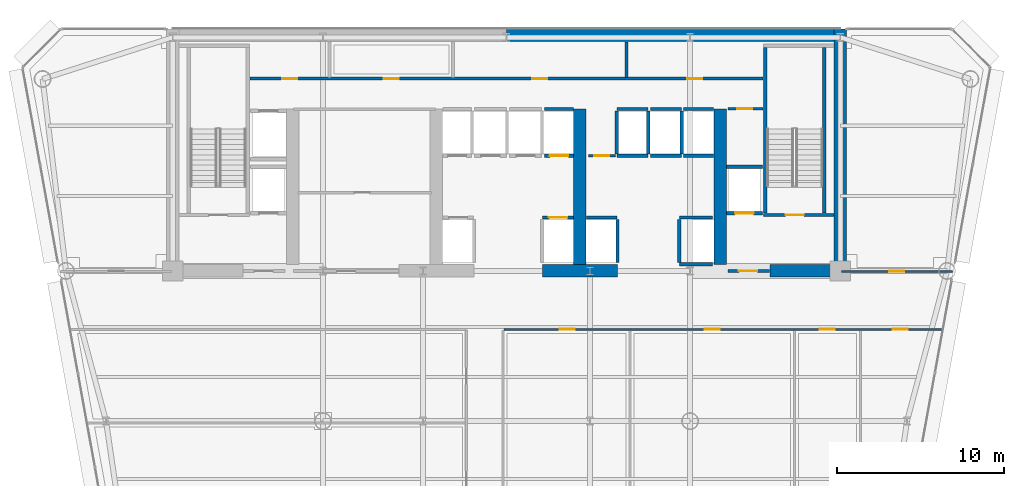
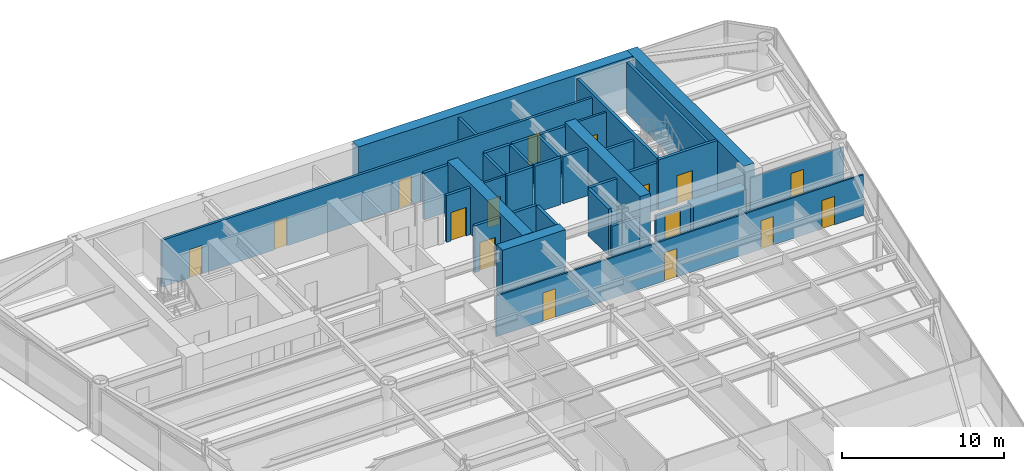
# One storey, part 9 of 14: 35 walls, 16 doors, 16 openings.
"""IFC4 building model written with IfcOpenShell, lengths in metres."""

from ifc_helpers import new_model, si_unit, direction, frame, frame_2d, origin, place, context, subcontext, project, spatial, rectangle, extrude, source, transform, mapped, material, layer, layer_set, type_object, element, fill, save


model = new_model("IFC4")

# Units and contexts
model_context = context("Model", 3, precision=1e-05, world=origin(), true_north=direction((0.0, 1.0)))
body_context = subcontext(model_context, "Body", "Model", "MODEL_VIEW")
ifc_project = project(units=[si_unit("LENGTHUNIT", "METRE"), si_unit("AREAUNIT", "SQUARE_METRE"), si_unit("VOLUMEUNIT", "CUBIC_METRE"), si_unit("PLANEANGLEUNIT", "RADIAN"), si_unit("MASSUNIT", "GRAM", prefix="KILO")], contexts=[model_context])

# Site, building, storey
site_placement = place(None, origin())
site = spatial("IfcSite", under=ifc_project, at=site_placement, CompositionType="ELEMENT")
building_placement = place(site_placement, origin())
building = spatial("IfcBuilding", under=site, at=building_placement, Name="Vaeldorn Concourse Tower", CompositionType="ELEMENT")
storey_placement = place(building_placement, frame((0.0, 0.0, 145.199951171875)))
storey = spatial("IfcBuildingStorey", under=building, at=storey_placement, Name="L37", CompositionType="ELEMENT", Elevation=145.199951171875)

# Walls
ifc_material_1 = material(Name="Concrete C60/75", Category="concrete")
ifc_layer_1 = layer(ifc_material_1, 0.75)
ifc_layer_set_1 = layer_set([ifc_layer_1], Name="Concrete C60/75")
wall_type_1 = type_object("IfcWallType", Name="WL-CORE-750", PredefinedType="SHEAR", material=ifc_layer_set_1)
wall_1_placement = place(storey_placement, frame((34.001953125, 50.625, 0.0), z_axis=(0.0, 0.0, 1.0), x_axis=(1.0, 0.0, 0.0)))
element("IfcWall", 1, at=wall_1_placement, inside=storey, type_object=wall_type_1, Name="Rear Core Shear Wall L37 N2", PredefinedType="SHEAR", context=body_context, shape_type="SweptSolid", body=[
    extrude(rectangle(XDim=19.619140625, YDim=0.75, at=frame_2d((9.8095703125, 0.0))), origin(), (0.0, 0.0, 1.0), 3.800048828125),
])
wall_2_placement = place(storey_placement, frame((54.0, 36.5, 0.0), z_axis=(0.0, 0.0, 1.0), x_axis=(0.0, 1.0, 0.0)))
element("IfcWall", 2, at=wall_2_placement, inside=storey, type_object=wall_type_1, Name="Rear Core Shear Wall L37 E1", PredefinedType="SHEAR", context=body_context, shape_type="SweptSolid", body=[
    extrude(rectangle(XDim=14.5, YDim=0.75, at=frame_2d((7.25, 0.0))), origin(), (0.0, 0.0, 1.0), 3.800048828125),
])
wall_3_placement = place(storey_placement, frame((36.14990234375, 36.5, 0.0), z_axis=(0.0, 0.0, 1.0), x_axis=(1.0, 0.0, 0.0)))
element("IfcWall", 3, at=wall_3_placement, inside=storey, type_object=wall_type_1, Name="Rear Core Shear Wall L37 S3", PredefinedType="SHEAR", context=body_context, shape_type="SweptSolid", body=[
    extrude(rectangle(XDim=4.5, YDim=0.75, at=frame_2d((2.25, 0.0))), origin(), (0.0, 0.0, 1.0), 3.800048828125),
])
wall_4_placement = place(storey_placement, frame((49.800048828125, 36.5, 0.0), z_axis=(0.0, 0.0, 1.0), x_axis=(1.0, 0.0, 0.0)))
element("IfcWall", 4, at=wall_4_placement, inside=storey, type_object=wall_type_1, Name="Rear Core Shear Wall L37 S4", PredefinedType="SHEAR", context=body_context, shape_type="SweptSolid", body=[
    extrude(rectangle(XDim=3.804931640625, YDim=0.75, at=frame_2d((1.90234375, 0.0))), origin(), (0.0, 0.0, 1.0), 2.340087890625),
])
for number, where, z_axis, x_axis, name in (
    (5, (38.39990234375, 36.89501953125, 0.0), (0.0, 0.0, 1.0), (0.0, 1.0, 0.0), "Rear Core Shear Wall L37 M3"),
    (6, (46.800048828125, 36.89501953125, 0.0), (0.0, 0.0, 1.0), (0.0, 1.0, 0.0), "Rear Core Shear Wall L37 M4"),
):
    element("IfcWall", number, at=place(storey_placement, frame(where, z_axis=z_axis, x_axis=x_axis)), inside=storey, type_object=wall_type_1, Name=name, PredefinedType="SHEAR", context=body_context, shape_type="SweptSolid", body=[
        extrude(rectangle(XDim=9.304931640625, YDim=0.75, at=frame_2d((4.65234375, 0.0))), origin(), (0.0, 0.0, 1.0), 3.800048828125),
    ])

# Wall, openings, doors
ifc_material_2 = material(Name="Gypsum Board Partition", Category="gypsum")
ifc_layer_2 = layer(ifc_material_2, 0.1201171875)
ifc_layer_set_2 = layer_set([ifc_layer_2], Name="Gypsum Board Partition")
wall_type_2 = type_object("IfcWallType", Name="WL-PART-120", PredefinedType="PARTITIONING", material=ifc_layer_set_2)
wall_5_placement = place(storey_placement, frame((33.860107421875, 33.0, 0.0), z_axis=(0.0, 0.0, 1.0), x_axis=(1.0, 0.0, 0.0)))
wall_5 = element("IfcWall", 7, at=wall_5_placement, inside=storey, type_object=wall_type_2, Name="Interior Wall PW-L37-C2SE", PredefinedType="PARTITIONING", context=body_context, shape_type="SweptSolid", body=[
    extrude(rectangle(XDim=26.252685546875, YDim=0.1201171875, at=frame_2d((13.12646484375, 0.0))), origin(), (0.0, 0.0, 1.0), 3.080078125),
])
opening_1_placement = place(wall_5_placement, frame((3.340087890625, 0.0, 0.0)))
opening_1 = element("IfcOpeningElement", 8, at=opening_1_placement, cuts=wall_5, Name="Opening D-03", PredefinedType="OPENING", context=body_context, shape_type="SweptSolid", body=[
    extrude(rectangle(XDim=0.89990234375, YDim=2.14990234375, at=frame_2d((0.449951171875, 1.074951171875))), frame((0.0, 0.070068359375, 0.0), z_axis=(0.0, -1.0, 0.0), x_axis=(1.0, 0.0, 0.0)), (0.0, 0.0, 1.0), 0.14013671875),
])
opening_2_placement = place(wall_5_placement, frame((12.014892578125, 0.0, 0.0)))
opening_2 = element("IfcOpeningElement", 9, at=opening_2_placement, cuts=wall_5, Name="Opening D-03", PredefinedType="OPENING", context=body_context, shape_type="SweptSolid", body=[
    extrude(rectangle(XDim=0.89990234375, YDim=2.14990234375, at=frame_2d((0.449951171875, 1.074951171875))), frame((0.0, 0.070068359375, 0.0), z_axis=(0.0, -1.0, 0.0), x_axis=(1.0, 0.0, 0.0)), (0.0, 0.0, 1.0), 0.14013671875),
])
opening_3_placement = place(wall_5_placement, frame((18.9150390625, 0.0, 0.0)))
opening_3 = element("IfcOpeningElement", 10, at=opening_3_placement, cuts=wall_5, Name="Opening D-03", PredefinedType="OPENING", context=body_context, shape_type="SweptSolid", body=[
    extrude(rectangle(XDim=0.89990234375, YDim=2.14990234375, at=frame_2d((0.449951171875, 1.074951171875))), frame((0.0, 0.070068359375, 0.0), z_axis=(0.0, -1.0, 0.0), x_axis=(1.0, 0.0, 0.0)), (0.0, 0.0, 1.0), 0.14013671875),
])
opening_4_placement = place(wall_5_placement, frame((23.2958984375, 0.0, 0.0)))
opening_4 = element("IfcOpeningElement", 11, at=opening_4_placement, cuts=wall_5, Name="Opening D-03", PredefinedType="OPENING", context=body_context, shape_type="SweptSolid", body=[
    extrude(rectangle(XDim=0.89990234375, YDim=2.14990234375, at=frame_2d((0.449951171875, 1.074951171875))), frame((0.0, 0.070068359375, 0.0), z_axis=(0.0, -1.0, 0.0), x_axis=(1.0, 0.0, 0.0)), (0.0, 0.0, 1.0), 0.14013671875),
])
ifc_material_3 = material(Name="Acoustic Bronze-Framed Glass Door", Category="glass")
door_type_1 = type_object("IfcDoorType", Name="DR-INT-900", OperationType="NOTDEFINED", PredefinedType="DOOR", material=ifc_material_3)
shared_shape_1 = source(origin(), body_context, "Body", "SweptSolid", [
    extrude(rectangle(XDim=0.89990234375, YDim=2.14990234375, at=frame_2d((0.449951171875, 1.074951171875))), frame((0.0, 0.02490234375, 0.0), z_axis=(0.0, -1.0, 0.0), x_axis=(1.0, 0.0, 0.0)), (0.0, 0.0, 1.0), 0.050048828125),
])
door_1_placement = place(opening_1_placement, origin())
door_1 = element("IfcDoor", 12, at=door_1_placement, inside=storey, type_object=door_type_1, Name="Interior Door DR-L37-Z2E1", OperationType="SINGLE_SWING_RIGHT", OverallHeight=2.14990234375, OverallWidth=0.89990234375, PredefinedType="DOOR", context=body_context, shape_type="MappedRepresentation", body=[
    mapped(shared_shape_1, transform((0.0, 0.0, 0.0), scale=1.0)),
])
fill(opening_1, door_1)
door_2_placement = place(opening_2_placement, origin())
door_2 = element("IfcDoor", 13, at=door_2_placement, inside=storey, type_object=door_type_1, Name="Interior Door DR-L37-Z2E2", OperationType="SINGLE_SWING_LEFT", OverallHeight=2.14990234375, OverallWidth=0.89990234375, PredefinedType="DOOR", context=body_context, shape_type="MappedRepresentation", body=[
    mapped(shared_shape_1, transform((0.0, 0.0, 0.0), scale=1.0)),
])
fill(opening_2, door_2)
door_3_placement = place(opening_3_placement, origin())
door_3 = element("IfcDoor", 14, at=door_3_placement, inside=storey, type_object=door_type_1, Name="Interior Door DR-L37-Z2E3", OperationType="SINGLE_SWING_RIGHT", OverallHeight=2.14990234375, OverallWidth=0.89990234375, PredefinedType="DOOR", context=body_context, shape_type="MappedRepresentation", body=[
    mapped(shared_shape_1, transform((0.0, 0.0, 0.0), scale=1.0)),
])
fill(opening_3, door_3)
door_4_placement = place(opening_4_placement, origin())
door_4 = element("IfcDoor", 15, at=door_4_placement, inside=storey, type_object=door_type_1, Name="Interior Door DR-L37-Z2E4", OperationType="SINGLE_SWING_LEFT", OverallHeight=2.14990234375, OverallWidth=0.89990234375, PredefinedType="DOOR", context=body_context, shape_type="MappedRepresentation", body=[
    mapped(shared_shape_1, transform((0.0, 0.0, 0.0), scale=1.0)),
])
fill(opening_4, door_4)

# Wall, opening, door
wall_6_placement = place(storey_placement, frame((54.06005859375, 36.47998046875, 0.0), z_axis=(0.0, 0.0, 1.0), x_axis=(1.0, 0.0, 0.0)))
wall_6 = element("IfcWall", 16, at=wall_6_placement, inside=storey, type_object=wall_type_2, Name="Interior Wall PW-L37-NES", PredefinedType="PARTITIONING", context=body_context, shape_type="SweptSolid", body=[
    extrude(rectangle(XDim=6.67822265625, YDim=0.1201171875, at=frame_2d((3.339111328125, 0.0))), origin(), (0.0, 0.0, 1.0), 2.830078125),
])
opening_5_placement = place(wall_6_placement, frame((2.888916015625, 0.0, 0.0)))
opening_5 = element("IfcOpeningElement", 17, at=opening_5_placement, cuts=wall_6, Name="Opening D-03", PredefinedType="OPENING", context=body_context, shape_type="SweptSolid", body=[
    extrude(rectangle(XDim=0.89990234375, YDim=2.14990234375, at=frame_2d((0.449951171875, 1.074951171875))), frame((0.0, 0.070068359375, 0.0), z_axis=(0.0, -1.0, 0.0), x_axis=(1.0, 0.0, 0.0)), (0.0, 0.0, 1.0), 0.14013671875),
])
door_5_placement = place(opening_5_placement, origin())
door_5 = element("IfcDoor", 18, at=door_5_placement, inside=storey, type_object=door_type_1, Name="Interior Door DR-L37-NEC", OperationType="SINGLE_SWING_RIGHT", OverallHeight=2.14990234375, OverallWidth=0.89990234375, PredefinedType="DOOR", context=body_context, shape_type="MappedRepresentation", body=[
    mapped(shared_shape_1, transform((0.0, 0.0, 0.0), scale=1.0)),
])
fill(opening_5, door_5)

ifc_layer_3 = layer(ifc_material_2, 0.14990234375)
ifc_layer_set_3 = layer_set([ifc_layer_3], Name="Gypsum Board Partition")
wall_type_3 = type_object("IfcWallType", Name="WL-PART-150", PredefinedType="PARTITIONING", material=ifc_layer_set_3)
wall_7_placement = place(storey_placement, frame((47.280029296875, 46.219970703125, 0.0), z_axis=(0.0, 0.0, 1.0), x_axis=(1.0, 0.0, 0.0)))
wall_7 = element("IfcWall", 19, at=wall_7_placement, inside=storey, type_object=wall_type_3, Name="Interior Wall CW-L37-CRSE-N", PredefinedType="PARTITIONING", context=body_context, shape_type="SweptSolid", body=[
    extrude(rectangle(XDim=2.099853515625, YDim=0.14990234375, at=frame_2d((1.0498046875, 0.0))), origin(), (0.0, 0.0, 1.0), 3.5400390625),
])
opening_6_placement = place(wall_7_placement, frame((0.550048828125, 0.0, 0.0)))
opening_6 = element("IfcOpeningElement", 20, at=opening_6_placement, cuts=wall_7, Name="Opening D-02", PredefinedType="OPENING", context=body_context, shape_type="SweptSolid", body=[
    extrude(rectangle(XDim=0.89990234375, YDim=2.10009765625, at=frame_2d((0.449951171875, 1.050048828125))), frame((0.0, 0.0849609375, 0.0), z_axis=(0.0, -1.0, 0.0), x_axis=(1.0, 0.0, 0.0)), (0.0, 0.0, 1.0), 0.169921875),
])
ifc_material_4 = material(Name="Fire-Rated Timber Leaf", Category="wood")
door_type_2 = type_object("IfcDoorType", Name="DR-FD30-900", OperationType="NOTDEFINED", PredefinedType="DOOR", material=ifc_material_4)
shared_shape_2 = source(origin(), body_context, "Body", "SweptSolid", [
    extrude(rectangle(XDim=0.89990234375, YDim=2.10009765625, at=frame_2d((0.449951171875, 1.050048828125))), frame((0.0, 0.02490234375, 0.0), z_axis=(0.0, -1.0, 0.0), x_axis=(1.0, 0.0, 0.0)), (0.0, 0.0, 1.0), 0.050048828125),
])
door_6_placement = place(opening_6_placement, origin())
door_6 = element("IfcDoor", 21, at=door_6_placement, inside=storey, type_object=door_type_2, Name="Interior Door DR-L37-CRSE", OperationType="SINGLE_SWING_RIGHT", OverallHeight=2.10009765625, OverallWidth=0.89990234375, PredefinedType="DOOR", context=body_context, shape_type="MappedRepresentation", body=[
    mapped(shared_shape_2, transform((0.0, 0.0, 0.0), scale=1.0)),
])
fill(opening_6, door_6)

wall_8_placement = place(storey_placement, frame((38.919921875, 43.39990234375, 0.0), z_axis=(0.0, 0.0, 1.0), x_axis=(1.0, 0.0, 0.0)))
wall_8 = element("IfcWall", 22, at=wall_8_placement, inside=storey, type_object=wall_type_3, Name="Interior Wall CW-L37-CCLINK", PredefinedType="PARTITIONING", context=body_context, shape_type="SweptSolid", body=[
    extrude(rectangle(XDim=1.60009765625, YDim=0.14990234375, at=frame_2d((0.800048828125, 0.0))), origin(), (0.0, 0.0, 1.0), 3.5400390625),
])
opening_7_placement = place(wall_8_placement, frame((0.35009765625, 0.0, 0.0)))
opening_7 = element("IfcOpeningElement", 23, at=opening_7_placement, cuts=wall_8, Name="Opening D-02", PredefinedType="OPENING", context=body_context, shape_type="SweptSolid", body=[
    extrude(rectangle(XDim=0.89990234375, YDim=2.10009765625, at=frame_2d((0.449951171875, 1.050048828125))), frame((0.0, 0.0849609375, 0.0), z_axis=(0.0, -1.0, 0.0), x_axis=(1.0, 0.0, 0.0)), (0.0, 0.0, 1.0), 0.169921875),
])
door_7_placement = place(opening_7_placement, origin())
door_7 = element("IfcDoor", 24, at=door_7_placement, inside=storey, type_object=door_type_2, Name="Interior Door DR-L37-CCLINK", OperationType="SINGLE_SWING_LEFT", OverallHeight=2.10009765625, OverallWidth=0.89990234375, PredefinedType="DOOR", context=body_context, shape_type="MappedRepresentation", body=[
    mapped(shared_shape_2, transform((0.0, 0.0, 0.0), scale=1.0)),
])
fill(opening_7, door_7)

# Wall, openings, doors
ifc_layer_4 = layer(ifc_material_2, 0.179931640625)
ifc_layer_set_4 = layer_set([ifc_layer_4], Name="Gypsum Board Partition")
wall_type_4 = type_object("IfcWallType", Name="WL-PLUMB-180", PredefinedType="PLUMBINGWALL", material=ifc_layer_set_4)
wall_9_placement = place(storey_placement, frame((18.6201171875, 48.02001953125, 0.0), z_axis=(0.0, 0.0, 1.0), x_axis=(1.0, 0.0, 0.0)))
wall_9 = element("IfcWall", 25, at=wall_9_placement, inside=storey, type_object=wall_type_4, Name="Interior Wall CW-L37-NS0", PredefinedType="PLUMBINGWALL", context=body_context, shape_type="SweptSolid", body=[
    extrude(rectangle(XDim=30.759765625, YDim=0.179931640625, at=frame_2d((15.3798828125, 0.0))), origin(), (0.0, 0.0, 1.0), 3.5400390625),
])
opening_8_placement = place(wall_9_placement, frame((1.955078125, 0.0, 0.0)))
opening_8 = element("IfcOpeningElement", 26, at=opening_8_placement, cuts=wall_9, Name="Opening D-03", PredefinedType="OPENING", context=body_context, shape_type="SweptSolid", body=[
    extrude(rectangle(XDim=0.89990234375, YDim=2.14990234375, at=frame_2d((0.449951171875, 1.074951171875))), frame((0.0, 0.10009765625, 0.0), z_axis=(0.0, -1.0, 0.0), x_axis=(1.0, 0.0, 0.0)), (0.0, 0.0, 1.0), 0.199951171875),
])
opening_9_placement = place(wall_9_placement, frame((8.030029296875, 0.0, 0.0)))
opening_9 = element("IfcOpeningElement", 27, at=opening_9_placement, cuts=wall_9, Name="Opening D-03", PredefinedType="OPENING", context=body_context, shape_type="SweptSolid", body=[
    extrude(rectangle(XDim=0.89990234375, YDim=2.14990234375, at=frame_2d((0.449951171875, 1.074951171875))), frame((0.0, 0.10009765625, 0.0), z_axis=(0.0, -1.0, 0.0), x_axis=(1.0, 0.0, 0.0)), (0.0, 0.0, 1.0), 0.199951171875),
])
opening_10_placement = place(wall_9_placement, frame((16.929931640625, 0.0, 0.0)))
opening_10 = element("IfcOpeningElement", 28, at=opening_10_placement, cuts=wall_9, Name="Opening D-03", PredefinedType="OPENING", context=body_context, shape_type="SweptSolid", body=[
    extrude(rectangle(XDim=0.89990234375, YDim=2.14990234375, at=frame_2d((0.449951171875, 1.074951171875))), frame((0.0, 0.10009765625, 0.0), z_axis=(0.0, -1.0, 0.0), x_axis=(1.0, 0.0, 0.0)), (0.0, 0.0, 1.0), 0.199951171875),
])
opening_11_placement = place(wall_9_placement, frame((26.205078125, 0.0, 0.0)))
opening_11 = element("IfcOpeningElement", 29, at=opening_11_placement, cuts=wall_9, Name="Opening D-03", PredefinedType="OPENING", context=body_context, shape_type="SweptSolid", body=[
    extrude(rectangle(XDim=0.89990234375, YDim=2.14990234375, at=frame_2d((0.449951171875, 1.074951171875))), frame((0.0, 0.10009765625, 0.0), z_axis=(0.0, -1.0, 0.0), x_axis=(1.0, 0.0, 0.0)), (0.0, 0.0, 1.0), 0.199951171875),
])
door_8_placement = place(opening_8_placement, origin())
door_8 = element("IfcDoor", 30, at=door_8_placement, inside=storey, type_object=door_type_1, Name="Interior Door DR-L37-CS1", OperationType="SINGLE_SWING_LEFT", OverallHeight=2.14990234375, OverallWidth=0.89990234375, PredefinedType="DOOR", context=body_context, shape_type="MappedRepresentation", body=[
    mapped(shared_shape_1, transform((0.0, 0.0, 0.0), scale=1.0)),
])
fill(opening_8, door_8)
door_9_placement = place(opening_9_placement, origin())
door_9 = element("IfcDoor", 31, at=door_9_placement, inside=storey, type_object=door_type_1, Name="Interior Door DR-L37-CS2", OperationType="SINGLE_SWING_RIGHT", OverallHeight=2.14990234375, OverallWidth=0.89990234375, PredefinedType="DOOR", context=body_context, shape_type="MappedRepresentation", body=[
    mapped(shared_shape_1, transform((0.0, 0.0, 0.0), scale=1.0)),
])
fill(opening_9, door_9)
door_10_placement = place(opening_10_placement, origin())
door_10 = element("IfcDoor", 32, at=door_10_placement, inside=storey, type_object=door_type_1, Name="Interior Door DR-L37-CS3", OperationType="SINGLE_SWING_LEFT", OverallHeight=2.14990234375, OverallWidth=0.89990234375, PredefinedType="DOOR", context=body_context, shape_type="MappedRepresentation", body=[
    mapped(shared_shape_1, transform((0.0, 0.0, 0.0), scale=1.0)),
])
fill(opening_10, door_10)
door_11_placement = place(opening_11_placement, origin())
door_11 = element("IfcDoor", 33, at=door_11_placement, inside=storey, type_object=door_type_1, Name="Interior Door DR-L37-CS4", OperationType="SINGLE_SWING_RIGHT", OverallHeight=2.14990234375, OverallWidth=0.89990234375, PredefinedType="DOOR", context=body_context, shape_type="MappedRepresentation", body=[
    mapped(shared_shape_1, transform((0.0, 0.0, 0.0), scale=1.0)),
])
fill(opening_11, door_11)

# Wall
wall_10_placement = place(storey_placement, frame((41.199951171875, 48.10009765625, 0.0), z_axis=(0.0, 0.0, 1.0), x_axis=(0.0, 1.0, 0.0)))
element("IfcWall", 34, at=wall_10_placement, inside=storey, type_object=wall_type_4, Name="Interior Wall CW-L37-NDIV3", PredefinedType="PLUMBINGWALL", context=body_context, shape_type="SweptSolid", body=[
    extrude(rectangle(XDim=2.1298828125, YDim=0.179931640625, at=frame_2d((1.06494140625, 0.0))), origin(), (0.0, 0.0, 1.0), 3.5400390625),
])

# Wall, opening, door
ifc_material_5 = material(Name="Concrete C50/60", Category="concrete")
ifc_layer_5 = layer(ifc_material_5, 0.199951171875)
ifc_layer_set_5 = layer_set([ifc_layer_5], Name="Concrete C50/60")
wall_type_5 = type_object("IfcWallType", Name="WL-SHAFT-200", PredefinedType="SOLIDWALL", material=ifc_layer_set_5)
wall_11_placement = place(storey_placement, frame((49.39990234375, 39.85009765625, 0.0), z_axis=(0.0, 0.0, 1.0), x_axis=(1.0, 0.0, 0.0)))
wall_11 = element("IfcWall", 35, at=wall_11_placement, inside=storey, type_object=wall_type_5, Name="Stair Shaft Wall CW-L37-ST-2-S", PredefinedType="SOLIDWALL", context=body_context, shape_type="SweptSolid", body=[
    extrude(rectangle(XDim=4.22509765625, YDim=0.199951171875, at=frame_2d((2.112548828125, 0.0))), origin(), (0.0, 0.0, 1.0), 3.800048828125),
])
opening_12_placement = place(wall_11_placement, frame((1.324951171875, 0.0, 0.0)))
opening_12 = element("IfcOpeningElement", 36, at=opening_12_placement, cuts=wall_11, Name="Opening D-01", PredefinedType="OPENING", context=body_context, shape_type="SweptSolid", body=[
    extrude(rectangle(XDim=1.10009765625, YDim=2.14990234375, at=frame_2d((0.550048828125, 1.074951171875))), frame((0.0, 0.10986328125, 0.0), z_axis=(0.0, -1.0, 0.0), x_axis=(1.0, 0.0, 0.0)), (0.0, 0.0, 1.0), 0.219970703125),
])
ifc_material_6 = material(Name="Fire-Rated Timber and Steel Leaf", Category="steel")
door_type_3 = type_object("IfcDoorType", Name="DR-FD60-1100", OperationType="NOTDEFINED", PredefinedType="DOOR", material=ifc_material_6)
shared_shape_3 = source(origin(), body_context, "Body", "SweptSolid", [
    extrude(rectangle(XDim=1.10009765625, YDim=2.14990234375, at=frame_2d((0.550048828125, 1.074951171875))), frame((0.0, 0.02490234375, 0.0), z_axis=(0.0, -1.0, 0.0), x_axis=(1.0, 0.0, 0.0)), (0.0, 0.0, 1.0), 0.050048828125),
])
door_12_placement = place(opening_12_placement, origin())
door_12 = element("IfcDoor", 37, at=door_12_placement, inside=storey, type_object=door_type_3, Name="Interior Door DR-L37-ST-2", OperationType="SINGLE_SWING_RIGHT", OverallHeight=2.14990234375, OverallWidth=1.10009765625, PredefinedType="DOOR", context=body_context, shape_type="MappedRepresentation", body=[
    mapped(shared_shape_3, transform((0.0, 0.0, 0.0), scale=1.0)),
])
fill(opening_12, door_12)

# Walls
for number, where, z_axis, x_axis, name in (
    (38, (49.5, 39.9599609375, 0.0), (0.0, 0.0, 1.0), (0.0, 1.0, 0.0), "Stair Shaft Wall CW-L37-ST-2-W"),
    (39, (53.050048828125, 39.9599609375, 0.0), (0.0, 0.0, 1.0), (0.0, 1.0, 0.0), "Stair Shaft Wall CW-L37-ST-2-E"),
):
    element("IfcWall", number, at=place(storey_placement, frame(where, z_axis=z_axis, x_axis=x_axis)), inside=storey, type_object=wall_type_5, Name=name, PredefinedType="SOLIDWALL", context=body_context, shape_type="SweptSolid", body=[
        extrude(rectangle(XDim=9.929931640625, YDim=0.199951171875, at=frame_2d((4.96484375, 0.0))), origin(), (0.0, 0.0, 1.0), 3.800048828125),
    ])

# Wall, opening, door
wall_12_placement = place(storey_placement, frame((47.280029296875, 36.5, 0.0), z_axis=(0.0, 0.0, 1.0), x_axis=(1.0, 0.0, 0.0)))
wall_12 = element("IfcWall", 40, at=wall_12_placement, inside=storey, type_object=wall_type_5, Name="Interior Wall CW-L37-FF2S", PredefinedType="SOLIDWALL", context=body_context, shape_type="SweptSolid", body=[
    extrude(rectangle(XDim=2.469970703125, YDim=0.199951171875, at=frame_2d((1.23486328125, 0.0))), origin(), (0.0, 0.0, 1.0), 2.330078125),
])
opening_13_placement = place(wall_12_placement, frame((0.64990234375, 0.0, 0.0)))
opening_13 = element("IfcOpeningElement", 41, at=opening_13_placement, cuts=wall_12, Name="Opening D-01", PredefinedType="OPENING", context=body_context, shape_type="SweptSolid", body=[
    extrude(rectangle(XDim=1.10009765625, YDim=2.14990234375, at=frame_2d((0.550048828125, 1.074951171875))), frame((0.0, 0.10986328125, 0.0), z_axis=(0.0, -1.0, 0.0), x_axis=(1.0, 0.0, 0.0)), (0.0, 0.0, 1.0), 0.219970703125),
])
door_13_placement = place(opening_13_placement, origin())
door_13 = element("IfcDoor", 42, at=door_13_placement, inside=storey, type_object=door_type_3, Name="Interior Door DR-L37-FF2W", OperationType="SINGLE_SWING_LEFT", OverallHeight=2.14990234375, OverallWidth=1.10009765625, PredefinedType="DOOR", context=body_context, shape_type="MappedRepresentation", body=[
    mapped(shared_shape_3, transform((0.0, 0.0, 0.0), scale=1.0)),
])
fill(opening_13, door_13)

wall_13_placement = place(storey_placement, frame((36.169921875, 39.699951171875, 0.0), z_axis=(0.0, 0.0, 1.0), x_axis=(1.0, 0.0, 0.0)))
wall_13 = element("IfcWall", 43, at=wall_13_placement, inside=storey, type_object=wall_type_5, Name="Interior Wall CW-L37-LF-LF-08", PredefinedType="SOLIDWALL", context=body_context, shape_type="SweptSolid", body=[
    extrude(rectangle(XDim=1.844970703125, YDim=0.199951171875, at=frame_2d((0.92236328125, 0.0))), origin(), (0.0, 0.0, 1.0), 3.5400390625),
])
opening_14_placement = place(wall_13_placement, frame((0.3720703125, 0.0, 0.0)))
opening_14 = element("IfcOpeningElement", 44, at=opening_14_placement, cuts=wall_13, Name="Opening LD-1", PredefinedType="OPENING", context=body_context, shape_type="SweptSolid", body=[
    extrude(rectangle(XDim=1.10009765625, YDim=2.14990234375, at=frame_2d((0.550048828125, 1.074951171875))), frame((0.0, 0.10986328125, 0.0), z_axis=(0.0, -1.0, 0.0), x_axis=(1.0, 0.0, 0.0)), (0.0, 0.0, 1.0), 0.219970703125),
])
ifc_material_7 = material(Name="Anodised Bronze Aluminium", Category="aluminium")
door_type_4 = type_object("IfcDoorType", Name="DR-LIFT-SLIDE-1100", OperationType="DOUBLE_DOOR_SLIDING", PredefinedType="DOOR", material=ifc_material_7)
door_14_placement = place(opening_14_placement, origin())
door_14 = element("IfcDoor", 45, at=door_14_placement, inside=storey, type_object=door_type_4, Name="Lift Landing Door LD-L37-LF-08", OperationType="DOUBLE_DOOR_SLIDING", OverallHeight=2.14990234375, OverallWidth=1.10009765625, PredefinedType="DOOR", context=body_context, shape_type="MappedRepresentation", body=[
    mapped(shared_shape_3, transform((0.0, 0.0, 0.0), scale=1.0)),
])
fill(opening_14, door_14)

wall_14_placement = place(storey_placement, frame((36.2900390625, 43.39990234375, 0.0), z_axis=(0.0, 0.0, 1.0), x_axis=(1.0, 0.0, 0.0)))
wall_14 = element("IfcWall", 46, at=wall_14_placement, inside=storey, type_object=wall_type_5, Name="Interior Wall CW-L37-LF-LF-12", PredefinedType="SOLIDWALL", context=body_context, shape_type="SweptSolid", body=[
    extrude(rectangle(XDim=1.724853515625, YDim=0.199951171875, at=frame_2d((0.8623046875, 0.0))), origin(), (0.0, 0.0, 1.0), 3.5400390625),
])
opening_15_placement = place(wall_14_placement, frame((0.31298828125, 0.0, 0.0)))
opening_15 = element("IfcOpeningElement", 47, at=opening_15_placement, cuts=wall_14, Name="Opening LD-1", PredefinedType="OPENING", context=body_context, shape_type="SweptSolid", body=[
    extrude(rectangle(XDim=1.10009765625, YDim=2.14990234375, at=frame_2d((0.550048828125, 1.074951171875))), frame((0.0, 0.10986328125, 0.0), z_axis=(0.0, -1.0, 0.0), x_axis=(1.0, 0.0, 0.0)), (0.0, 0.0, 1.0), 0.219970703125),
])
door_15_placement = place(opening_15_placement, origin())
door_15 = element("IfcDoor", 48, at=door_15_placement, inside=storey, type_object=door_type_4, Name="Lift Landing Door LD-L37-LF-12", OperationType="DOUBLE_DOOR_SLIDING", OverallHeight=2.14990234375, OverallWidth=1.10009765625, PredefinedType="DOOR", context=body_context, shape_type="MappedRepresentation", body=[
    mapped(shared_shape_3, transform((0.0, 0.0, 0.0), scale=1.0)),
])
fill(opening_15, door_15)

# Walls
wall_15_placement = place(storey_placement, frame((36.2900390625, 46.199951171875, 0.0), z_axis=(0.0, 0.0, 1.0), x_axis=(1.0, 0.0, 0.0)))
element("IfcWall", 49, at=wall_15_placement, inside=storey, type_object=wall_type_5, Name="Interior Wall CW-L37-LFB-LF-12", PredefinedType="SOLIDWALL", context=body_context, shape_type="SweptSolid", body=[
    extrude(rectangle(XDim=1.724853515625, YDim=0.199951171875, at=frame_2d((0.8623046875, 0.0))), origin(), (0.0, 0.0, 1.0), 3.5400390625),
])
wall_16_placement = place(storey_placement, frame((38.784912109375, 39.699951171875, 0.0), z_axis=(0.0, 0.0, 1.0), x_axis=(1.0, 0.0, 0.0)))
element("IfcWall", 50, at=wall_16_placement, inside=storey, type_object=wall_type_5, Name="Interior Wall CW-L37-LF-LF-13", PredefinedType="SOLIDWALL", context=body_context, shape_type="SweptSolid", body=[
    extrude(rectangle(XDim=1.844970703125, YDim=0.199951171875, at=frame_2d((0.92236328125, 0.0))), origin(), (0.0, 0.0, 1.0), 3.5400390625),
])
wall_17_placement = place(storey_placement, frame((40.64990234375, 37.02001953125, 0.0), z_axis=(0.0, 0.0, 1.0), x_axis=(0.0, 1.0, 0.0)))
element("IfcWall", 51, at=wall_17_placement, inside=storey, type_object=wall_type_5, Name="Interior Wall CW-L37-LFE-LF-13", PredefinedType="SOLIDWALL", context=body_context, shape_type="SweptSolid", body=[
    extrude(rectangle(XDim=2.56005859375, YDim=0.199951171875, at=frame_2d((1.280029296875, 0.0))), origin(), (0.0, 0.0, 1.0), 3.5400390625),
])
wall_18_placement = place(storey_placement, frame((44.3701171875, 39.699951171875, 0.0), z_axis=(0.0, 0.0, 1.0), x_axis=(1.0, 0.0, 0.0)))
element("IfcWall", 52, at=wall_18_placement, inside=storey, type_object=wall_type_5, Name="Interior Wall CW-L37-LF-LF-14", PredefinedType="SOLIDWALL", context=body_context, shape_type="SweptSolid", body=[
    extrude(rectangle(XDim=1.9599609375, YDim=0.199951171875, at=frame_2d((0.97998046875, 0.0))), origin(), (0.0, 0.0, 1.0), 3.5400390625),
])
wall_19_placement = place(storey_placement, frame((44.3701171875, 36.89990234375, 0.0), z_axis=(0.0, 0.0, 1.0), x_axis=(1.0, 0.0, 0.0)))
element("IfcWall", 53, at=wall_19_placement, inside=storey, type_object=wall_type_5, Name="Interior Wall CW-L37-LFB-LF-14", PredefinedType="SOLIDWALL", context=body_context, shape_type="SweptSolid", body=[
    extrude(rectangle(XDim=1.9599609375, YDim=0.199951171875, at=frame_2d((0.97998046875, 0.0))), origin(), (0.0, 0.0, 1.0), 2.330078125),
])
wall_20_placement = place(storey_placement, frame((44.35009765625, 37.02001953125, 0.0), z_axis=(0.0, 0.0, 1.0), x_axis=(0.0, 1.0, 0.0)))
element("IfcWall", 54, at=wall_20_placement, inside=storey, type_object=wall_type_5, Name="Interior Wall CW-L37-LFW-LF-14", PredefinedType="SOLIDWALL", context=body_context, shape_type="SweptSolid", body=[
    extrude(rectangle(XDim=2.56005859375, YDim=0.199951171875, at=frame_2d((1.280029296875, 0.0))), origin(), (0.0, 0.0, 1.0), 3.5400390625),
])
for number, where, z_axis, x_axis, name in (
    (55, (40.6201171875, 43.39990234375, 0.0), (0.0, 0.0, 1.0), (1.0, 0.0, 0.0), "Interior Wall CW-L37-LF-LF-15"),
    (56, (40.6201171875, 46.199951171875, 0.0), (0.0, 0.0, 1.0), (1.0, 0.0, 0.0), "Interior Wall CW-L37-LFB-LF-15"),
):
    element("IfcWall", number, at=place(storey_placement, frame(where, z_axis=z_axis, x_axis=x_axis)), inside=storey, type_object=wall_type_5, Name=name, PredefinedType="SOLIDWALL", context=body_context, shape_type="SweptSolid", body=[
        extrude(rectangle(XDim=1.85986328125, YDim=0.199951171875, at=frame_2d((0.929931640625, 0.0))), origin(), (0.0, 0.0, 1.0), 3.5400390625),
    ])
for number, where, z_axis, x_axis, name in (
    (57, (40.60009765625, 43.52001953125, 0.0), (0.0, 0.0, 1.0), (0.0, 1.0, 0.0), "Interior Wall CW-L37-LFW-LF-15"),
    (58, (42.5, 43.52001953125, 0.0), (0.0, 0.0, 1.0), (0.0, 1.0, 0.0), "Interior Wall CW-L37-LFE-LF-15"),
):
    element("IfcWall", number, at=place(storey_placement, frame(where, z_axis=z_axis, x_axis=x_axis)), inside=storey, type_object=wall_type_5, Name=name, PredefinedType="SOLIDWALL", context=body_context, shape_type="SweptSolid", body=[
        extrude(rectangle(XDim=2.56005859375, YDim=0.199951171875, at=frame_2d((1.280029296875, 0.0))), origin(), (0.0, 0.0, 1.0), 3.5400390625),
    ])
for number, where, z_axis, x_axis, name in (
    (59, (42.6201171875, 43.39990234375, 0.0), (0.0, 0.0, 1.0), (1.0, 0.0, 0.0), "Interior Wall CW-L37-LF-LF-16"),
    (60, (42.6201171875, 46.199951171875, 0.0), (0.0, 0.0, 1.0), (1.0, 0.0, 0.0), "Interior Wall CW-L37-LFB-LF-16"),
):
    element("IfcWall", number, at=place(storey_placement, frame(where, z_axis=z_axis, x_axis=x_axis)), inside=storey, type_object=wall_type_5, Name=name, PredefinedType="SOLIDWALL", context=body_context, shape_type="SweptSolid", body=[
        extrude(rectangle(XDim=1.85986328125, YDim=0.199951171875, at=frame_2d((0.929931640625, 0.0))), origin(), (0.0, 0.0, 1.0), 3.5400390625),
    ])
wall_21_placement = place(storey_placement, frame((44.5, 43.52001953125, 0.0), z_axis=(0.0, 0.0, 1.0), x_axis=(0.0, 1.0, 0.0)))
element("IfcWall", 61, at=wall_21_placement, inside=storey, type_object=wall_type_5, Name="Interior Wall CW-L37-LFE-LF-16", PredefinedType="SOLIDWALL", context=body_context, shape_type="SweptSolid", body=[
    extrude(rectangle(XDim=2.56005859375, YDim=0.199951171875, at=frame_2d((1.280029296875, 0.0))), origin(), (0.0, 0.0, 1.0), 3.5400390625),
])
for number, where, z_axis, x_axis, name in (
    (62, (44.6201171875, 43.39990234375, 0.0), (0.0, 0.0, 1.0), (1.0, 0.0, 0.0), "Interior Wall CW-L37-LF-LF-17"),
    (63, (44.6201171875, 46.199951171875, 0.0), (0.0, 0.0, 1.0), (1.0, 0.0, 0.0), "Interior Wall CW-L37-LFB-LF-17"),
):
    element("IfcWall", number, at=place(storey_placement, frame(where, z_axis=z_axis, x_axis=x_axis)), inside=storey, type_object=wall_type_5, Name=name, PredefinedType="SOLIDWALL", context=body_context, shape_type="SweptSolid", body=[
        extrude(rectangle(XDim=1.794921875, YDim=0.199951171875, at=frame_2d((0.8974609375, 0.0))), origin(), (0.0, 0.0, 1.0), 3.5400390625),
    ])

# Wall, opening, door
wall_22_placement = place(storey_placement, frame((47.18505859375, 39.949951171875, 0.0), z_axis=(0.0, 0.0, 1.0), x_axis=(1.0, 0.0, 0.0)))
wall_22 = element("IfcWall", 64, at=wall_22_placement, inside=storey, type_object=wall_type_5, Name="Interior Wall CW-L37-LF-LF-FF2", PredefinedType="SOLIDWALL", context=body_context, shape_type="SweptSolid", body=[
    extrude(rectangle(XDim=2.14501953125, YDim=0.199951171875, at=frame_2d((1.072509765625, 0.0))), origin(), (0.0, 0.0, 1.0), 3.5400390625),
])
opening_16_placement = place(wall_22_placement, frame((0.52197265625, 0.0, 0.0)))
opening_16 = element("IfcOpeningElement", 65, at=opening_16_placement, cuts=wall_22, Name="Opening LD-1", PredefinedType="OPENING", context=body_context, shape_type="SweptSolid", body=[
    extrude(rectangle(XDim=1.10009765625, YDim=2.14990234375, at=frame_2d((0.550048828125, 1.074951171875))), frame((0.0, 0.10986328125, 0.0), z_axis=(0.0, -1.0, 0.0), x_axis=(1.0, 0.0, 0.0)), (0.0, 0.0, 1.0), 0.219970703125),
])
door_16_placement = place(opening_16_placement, origin())
door_16 = element("IfcDoor", 66, at=door_16_placement, inside=storey, type_object=door_type_4, Name="Lift Landing Door LD-L37-LF-FF2", OperationType="DOUBLE_DOOR_SLIDING", OverallHeight=2.14990234375, OverallWidth=1.10009765625, PredefinedType="DOOR", context=body_context, shape_type="MappedRepresentation", body=[
    mapped(shared_shape_3, transform((0.0, 0.0, 0.0), scale=1.0)),
])
fill(opening_16, door_16)

# Wall
wall_23_placement = place(storey_placement, frame((47.18505859375, 42.75, 0.0), z_axis=(0.0, 0.0, 1.0), x_axis=(1.0, 0.0, 0.0)))
element("IfcWall", 67, at=wall_23_placement, inside=storey, type_object=wall_type_5, Name="Interior Wall CW-L37-LFB-LF-FF2", PredefinedType="SOLIDWALL", context=body_context, shape_type="SweptSolid", body=[
    extrude(rectangle(XDim=2.14501953125, YDim=0.199951171875, at=frame_2d((1.072509765625, 0.0))), origin(), (0.0, 0.0, 1.0), 3.5400390625),
])

save(model, "model.ifc")
